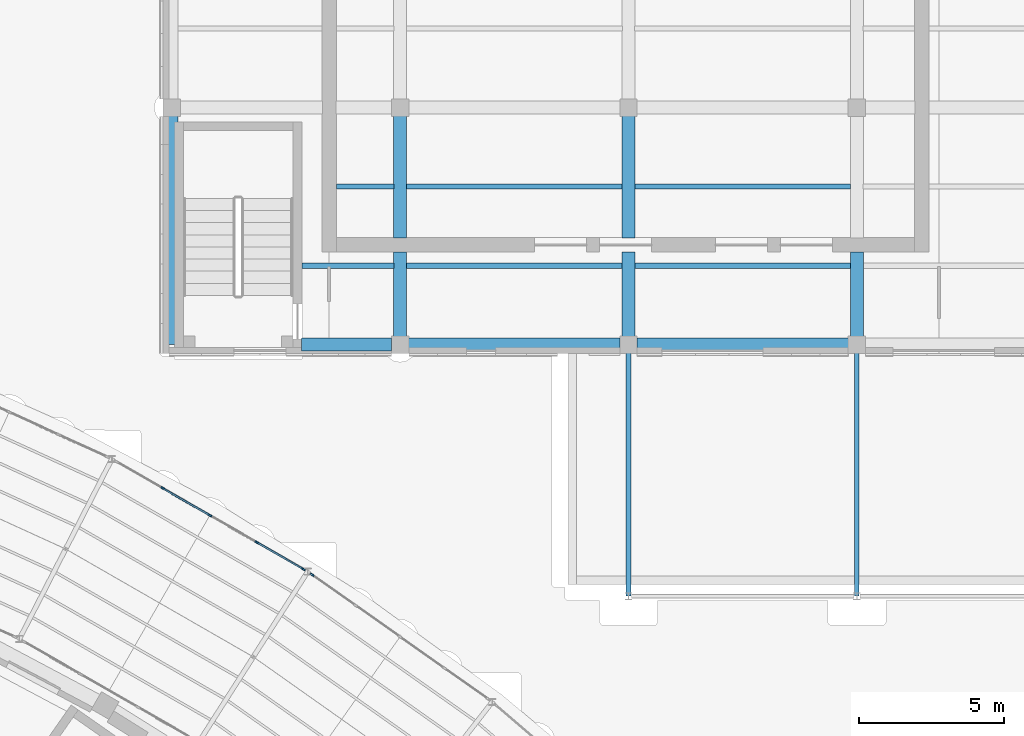
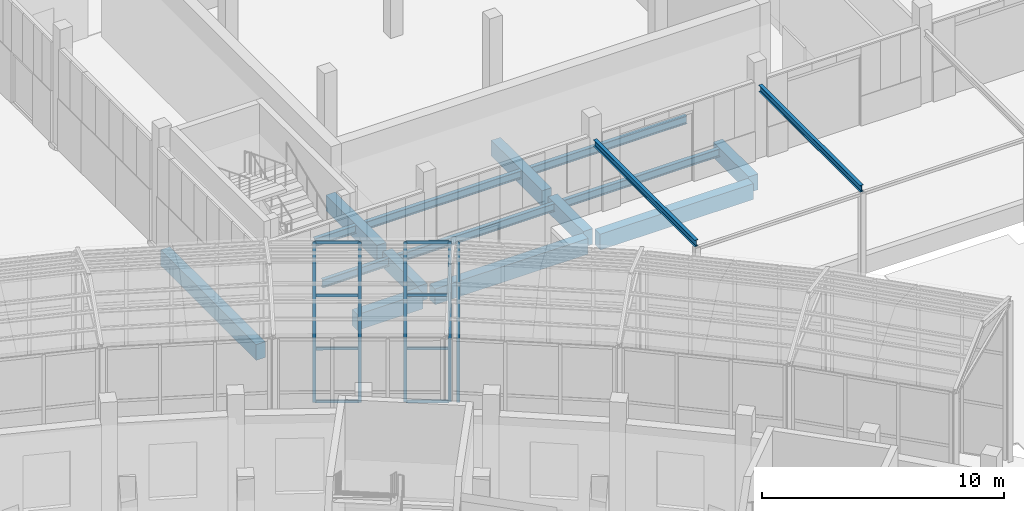
# One storey, part 59 of 155: 17 beams, 13 members, 2 elements without a shape of their own.
"""IFC4 building model written with IfcOpenShell, lengths in metres."""

from ifc_helpers import new_model, si_unit, direction, frame, origin, origin_2d, place, context, subcontext, project, spatial, rectangle, i_section, extrude, material, layer, layer_set, material_profile, profile_set, type_object, element, aggregate, save


model = new_model("IFC4")

# Units and contexts
model_context = context("Model", 3, precision=1e-05, world=origin(), true_north=direction((0.0, 1.0)))
body_context = subcontext(model_context, "Body", "Model", "MODEL_VIEW")
ifc_project = project(units=[si_unit("LENGTHUNIT", "METRE"), si_unit("AREAUNIT", "SQUARE_METRE"), si_unit("VOLUMEUNIT", "CUBIC_METRE"), si_unit("PLANEANGLEUNIT", "RADIAN"), si_unit("MASSUNIT", "GRAM", prefix="KILO")], contexts=[model_context])

# Site, building, storey
site_placement = place(None, origin())
site = spatial("IfcSite", under=ifc_project, at=site_placement, CompositionType="ELEMENT")
building_placement = place(site_placement, origin())
building = spatial("IfcBuilding", under=site, at=building_placement, Name="Lunette Opera House", CompositionType="ELEMENT")
storey_placement = place(building_placement, origin())
storey = spatial("IfcBuildingStorey", under=building, at=storey_placement, Name="L00", CompositionType="ELEMENT", Elevation=0.0)

# Curtain wall, members
ifc_material_1 = material(Name="Aluminium", Category="aluminium")
ifc_layer = layer(ifc_material_1, 0.139892578125)
ifc_layer_set = layer_set([ifc_layer], Name="Aluminium")
curtain_wall_type = type_object("IfcCurtainWallType", Name="PASSAGE CURTAIN WALL", PredefinedType="NOTDEFINED", material=ifc_layer_set)
curtain_wall_1_placement = place(storey_placement, origin())
curtain_wall_1 = element("IfcCurtainWall", 1, at=curtain_wall_1_placement, inside=storey, type_object=curtain_wall_type, Name="Passage Curtain Wall EO3 L00", PredefinedType="NOTDEFINED")
ifc_material_2 = material(Name="Aluminium", Category="aluminium")
ifc_material_profile_1 = material_profile(ifc_material_2, rectangle(XDim=0.06005859375, YDim=0.139892578125, at=origin_2d()), Name="MULLION 60 X 140")
ifc_profile_set_1 = profile_set([ifc_material_profile_1], Name="Aluminium")
member_type_1 = type_object("IfcMemberType", Name="MULLION 60 X 140", PredefinedType="MULLION", material=ifc_profile_set_1)
member_1_placement = place(storey_placement, frame((135.990478515625, 73.334716796875, 0.0), z_axis=(0.0, 0.0, 1.0), x_axis=(0.498416112536, 0.866937932475, 0.0)))
member_1 = element("IfcMember", 2, at=member_1_placement, type_object=member_type_1, Name="PP-X2009 mullion 2", PredefinedType="MULLION", context=body_context, shape_type="SweptSolid", body=[
    extrude(rectangle(XDim=0.06005859375, YDim=0.139892578125, at=origin_2d()), origin(), (0.0, 0.0, 1.0), 8.10009765625),
])
member_2_placement = place(storey_placement, frame((137.618896484375, 72.3984375, 0.0), z_axis=(0.0, 0.0, 1.0), x_axis=(0.498416112536, 0.866937932475, 0.0)))
member_2 = element("IfcMember", 3, at=member_2_placement, type_object=member_type_1, Name="PP-X2009 mullion 3", PredefinedType="MULLION", context=body_context, shape_type="SweptSolid", body=[
    extrude(rectangle(XDim=0.06005859375, YDim=0.139892578125, at=origin_2d()), origin(), (0.0, 0.0, 1.0), 8.10009765625),
])
member_3_placement = place(storey_placement, frame((139.24755859375, 71.462158203125, 0.0), z_axis=(0.0, 0.0, 1.0), x_axis=(0.498416112536, 0.866937932475, 0.0)))
member_3 = element("IfcMember", 4, at=member_3_placement, type_object=member_type_1, Name="PP-X2009 mullion 4", PredefinedType="MULLION", context=body_context, shape_type="SweptSolid", body=[
    extrude(rectangle(XDim=0.06005859375, YDim=0.139892578125, at=origin_2d()), origin(), (0.0, 0.0, 1.0), 8.10009765625),
])
member_4_placement = place(storey_placement, frame((140.85009765625, 70.541015625, 0.0), z_axis=(0.0, 0.0, 1.0), x_axis=(0.498416112536, 0.866937932475, 0.0)))
member_4 = element("IfcMember", 5, at=member_4_placement, type_object=member_type_1, Name="PP-X2009 mullion 5", PredefinedType="MULLION", context=body_context, shape_type="SweptSolid", body=[
    extrude(rectangle(XDim=0.06005859375, YDim=0.139892578125, at=origin_2d()), origin(), (0.0, 0.0, 1.0), 8.10009765625),
])

# Curtain wall, member
curtain_wall_2_placement = place(storey_placement, origin())
curtain_wall_2 = element("IfcCurtainWall", 6, at=curtain_wall_2_placement, inside=storey, type_object=curtain_wall_type, Name="Passage Curtain Wall EO4 L00", PredefinedType="NOTDEFINED")
member_5_placement = place(storey_placement, frame((141.153564453125, 70.3466796875, 0.0), z_axis=(0.0, 0.0, 1.0), x_axis=(0.577075112682, 0.816691076431, 0.0)))
member_5 = element("IfcMember", 7, at=member_5_placement, type_object=member_type_1, Name="PP-X2010 mullion 1", PredefinedType="MULLION", context=body_context, shape_type="SweptSolid", body=[
    extrude(rectangle(XDim=0.06005859375, YDim=0.139892578125, at=origin_2d()), origin(), (0.0, 0.0, 1.0), 8.10009765625),
])
aggregate(curtain_wall_2, [member_5])

# Beams
ifc_material_3 = material(Name="Concrete C35/45", Category="concrete")
ifc_material_profile_2 = material_profile(ifc_material_3, rectangle(XDim=0.449951171875, YDim=0.800048828125, at=origin_2d()), Name="RC BEAM 450X800")
ifc_profile_set_2 = profile_set([ifc_material_profile_2], Name="Concrete C35/45")
beam_type_1 = type_object("IfcBeamType", Name="RC BEAM 450X800", PredefinedType="BEAM", material=ifc_profile_set_2)
beam_1_placement = place(storey_placement, frame((136.300048828125, 78.300048828125, -0.550048828125), z_axis=(0.0, 1.0, 0.0), x_axis=(-1.0, 0.0, 0.0)))
element("IfcBeam", 8, at=beam_1_placement, inside=storey, type_object=beam_type_1, Name="beam-WW-L00-L00-GY00", PredefinedType="BEAM", context=body_context, shape_type="SweptSolid", body=[
    extrude(rectangle(XDim=0.449951171875, YDim=0.800048828125, at=origin_2d()), origin(), (0.0, 0.0, 1.0), 7.909912109375),
])
beam_2_placement = place(storey_placement, frame((144.199951171875, 78.590087890625, -0.550048828125), z_axis=(0.0, 1.0, 0.0), x_axis=(-1.0, 0.0, 0.0)))
element("IfcBeam", 9, at=beam_2_placement, inside=storey, type_object=beam_type_1, Name="beam-WW-L00-L00-GY10", PredefinedType="BEAM", context=body_context, shape_type="SweptSolid", body=[
    extrude(rectangle(XDim=0.449951171875, YDim=0.800048828125, at=origin_2d()), origin(), (0.0, 0.0, 1.0), 2.919921875),
])
beam_3_placement = place(storey_placement, frame((144.199951171875, 81.989990234375, -0.550048828125), z_axis=(0.0, 1.0, 0.0), x_axis=(-1.0, 0.0, 0.0)))
element("IfcBeam", 10, at=beam_3_placement, inside=storey, type_object=beam_type_1, Name="beam-WW-L00-L00-GY10-1", PredefinedType="BEAM", context=body_context, shape_type="SweptSolid", body=[
    extrude(rectangle(XDim=0.449951171875, YDim=0.800048828125, at=origin_2d()), origin(), (0.0, 0.0, 1.0), 4.219970703125),
])
beam_4_placement = place(storey_placement, frame((152.10009765625, 78.590087890625, -0.550048828125), z_axis=(0.0, 1.0, 0.0), x_axis=(-1.0, 0.0, 0.0)))
element("IfcBeam", 11, at=beam_4_placement, inside=storey, type_object=beam_type_1, Name="beam-WW-L00-L00-GY20", PredefinedType="BEAM", context=body_context, shape_type="SweptSolid", body=[
    extrude(rectangle(XDim=0.449951171875, YDim=0.800048828125, at=origin_2d()), origin(), (0.0, 0.0, 1.0), 2.919921875),
])
beam_5_placement = place(storey_placement, frame((152.10009765625, 81.989990234375, -0.550048828125), z_axis=(0.0, 1.0, 0.0), x_axis=(-1.0, 0.0, 0.0)))
element("IfcBeam", 12, at=beam_5_placement, inside=storey, type_object=beam_type_1, Name="beam-WW-L00-L00-GY20-1", PredefinedType="BEAM", context=body_context, shape_type="SweptSolid", body=[
    extrude(rectangle(XDim=0.449951171875, YDim=0.800048828125, at=origin_2d()), origin(), (0.0, 0.0, 1.0), 4.219970703125),
])
beam_6_placement = place(storey_placement, frame((160.0, 78.590087890625, -0.550048828125), z_axis=(0.0, 1.0, 0.0), x_axis=(-1.0, 0.0, 0.0)))
element("IfcBeam", 13, at=beam_6_placement, inside=storey, type_object=beam_type_1, Name="beam-WW-L00-L00-GY30", PredefinedType="BEAM", context=body_context, shape_type="SweptSolid", body=[
    extrude(rectangle(XDim=0.449951171875, YDim=0.800048828125, at=origin_2d()), origin(), (0.0, 0.0, 1.0), 2.919921875),
])
beam_7_placement = place(storey_placement, frame((140.7900390625, 78.300048828125, -0.550048828125), z_axis=(1.0, 0.0, 0.0), x_axis=(0.0, 1.0, 0.0)))
element("IfcBeam", 14, at=beam_7_placement, inside=storey, type_object=beam_type_1, Name="beam-WW-L00-L00-GX00", PredefinedType="BEAM", context=body_context, shape_type="SweptSolid", body=[
    extrude(rectangle(XDim=0.449951171875, YDim=0.800048828125, at=origin_2d()), origin(), (0.0, 0.0, 1.0), 3.119873046875),
])
for number, where, z_axis, x_axis, name in (
    (15, (144.489990234375, 78.300048828125, -0.550048828125), (1.0, 0.0, 0.0), (0.0, 1.0, 0.0), "beam-WW-L00-L00-GX10"),
    (16, (152.389892578125, 78.300048828125, -0.550048828125), (1.0, 0.0, 0.0), (0.0, 1.0, 0.0), "beam-WW-L00-L00-GX20"),
):
    element("IfcBeam", number, at=place(storey_placement, frame(where, z_axis=z_axis, x_axis=x_axis)), inside=storey, type_object=beam_type_1, Name=name, PredefinedType="BEAM", context=body_context, shape_type="SweptSolid", body=[
        extrude(rectangle(XDim=0.449951171875, YDim=0.800048828125, at=origin_2d()), origin(), (0.0, 0.0, 1.0), 7.320068359375),
    ])
ifc_material_4 = material(Name="Steel S355", Category="steel")
ifc_material_profile_3 = material_profile(ifc_material_4, i_section(OverallWidth=0.159912109375, OverallDepth=0.330078125, WebThickness=0.007568359375, FlangeThickness=0.011474609375, FilletRadius=0.01806640625, at=origin_2d()), Name="IPE 330")
ifc_profile_set_3 = profile_set([ifc_material_profile_3], Name="Steel S355")
beam_type_2 = type_object("IfcBeamType", Name="STEEL BEAM IPE 330", PredefinedType="BEAM", material=ifc_profile_set_3)
for number, where, z_axis, x_axis, name in (
    (17, (152.10009765625, 69.610107421875, 4.635009765625), (0.0, 1.0, 0.0), (-1.0, 0.0, 0.0), "beam-WW-L00-DCB1"),
    (18, (160.0, 69.610107421875, 4.635009765625), (0.0, 1.0, 0.0), (-1.0, 0.0, 0.0), "beam-WW-L00-DCB2"),
):
    element("IfcBeam", number, at=place(storey_placement, frame(where, z_axis=z_axis, x_axis=x_axis)), inside=storey, type_object=beam_type_2, Name=name, PredefinedType="BEAM", context=body_context, shape_type="SweptSolid", body=[
        extrude(i_section(OverallWidth=0.159912109375, OverallDepth=0.330078125, WebThickness=0.007568359375, FlangeThickness=0.011474609375, FilletRadius=0.01806640625, at=origin_2d()), origin(), (0.0, 0.0, 1.0), 8.39990234375),
    ])
ifc_material_5 = material(Name="Steel S355", Category="steel")
ifc_material_profile_4 = material_profile(ifc_material_5, i_section(OverallWidth=0.179931640625, OverallDepth=0.39990234375, WebThickness=0.008544921875, FlangeThickness=0.013427734375, FilletRadius=0.02099609375, at=origin_2d()), Name="IPE 400")
ifc_profile_set_4 = profile_set([ifc_material_profile_4], Name="Steel S355")
beam_type_3 = type_object("IfcBeamType", Name="STEEL BEAM IPE 400", PredefinedType="BEAM", material=ifc_profile_set_4)
beam_8_placement = place(storey_placement, frame((140.800048828125, 81.032958984375, -0.35009765625), z_axis=(1.0, 0.0, 0.0), x_axis=(0.0, 1.0, 0.0)))
element("IfcBeam", 19, at=beam_8_placement, inside=storey, type_object=beam_type_3, Name="beam-WW-L00-L00-SX001", PredefinedType="BEAM", context=body_context, shape_type="SweptSolid", body=[
    extrude(i_section(OverallWidth=0.179931640625, OverallDepth=0.39990234375, WebThickness=0.008544921875, FlangeThickness=0.013427734375, FilletRadius=0.02099609375, at=origin_2d()), origin(), (0.0, 0.0, 1.0), 3.18505859375),
])
beam_9_placement = place(storey_placement, frame((142.0, 83.76708984375, -0.35009765625), z_axis=(1.0, 0.0, 0.0), x_axis=(0.0, 1.0, 0.0)))
element("IfcBeam", 20, at=beam_9_placement, inside=storey, type_object=beam_type_3, Name="beam-WW-L00-L00-SX002-01", PredefinedType="BEAM", context=body_context, shape_type="SweptSolid", body=[
    extrude(i_section(OverallWidth=0.179931640625, OverallDepth=0.39990234375, WebThickness=0.008544921875, FlangeThickness=0.013427734375, FilletRadius=0.02099609375, at=origin_2d()), origin(), (0.0, 0.0, 1.0), 1.985107421875),
])
for number, where, z_axis, x_axis, name in (
    (21, (144.4150390625, 81.032958984375, -0.35009765625), (1.0, 0.0, 0.0), (0.0, 1.0, 0.0), "beam-WW-L00-L00-SX101"),
    (22, (144.4150390625, 83.76708984375, -0.35009765625), (1.0, 0.0, 0.0), (0.0, 1.0, 0.0), "beam-WW-L00-L00-SX102"),
    (23, (152.31494140625, 81.032958984375, -0.35009765625), (1.0, 0.0, 0.0), (0.0, 1.0, 0.0), "beam-WW-L00-L00-SX201"),
    (24, (152.31494140625, 83.76708984375, -0.35009765625), (1.0, 0.0, 0.0), (0.0, 1.0, 0.0), "beam-WW-L00-L00-SX202"),
):
    element("IfcBeam", number, at=place(storey_placement, frame(where, z_axis=z_axis, x_axis=x_axis)), inside=storey, type_object=beam_type_3, Name=name, PredefinedType="BEAM", context=body_context, shape_type="SweptSolid", body=[
        extrude(i_section(OverallWidth=0.179931640625, OverallDepth=0.39990234375, WebThickness=0.008544921875, FlangeThickness=0.013427734375, FilletRadius=0.02099609375, at=origin_2d()), origin(), (0.0, 0.0, 1.0), 7.469970703125),
    ])

# Member
ifc_material_6 = material(Name="Aluminium", Category="aluminium")
ifc_material_profile_5 = material_profile(ifc_material_6, rectangle(XDim=0.06005859375, YDim=0.139892578125, at=origin_2d()), Name="TRANSOM 60 X 140")
ifc_profile_set_5 = profile_set([ifc_material_profile_5], Name="Aluminium")
member_type_2 = type_object("IfcMemberType", Name="TRANSOM 60 X 140", PredefinedType="USERDEFINED", material=ifc_profile_set_5)
member_6_placement = place(storey_placement, frame((136.0166015625, 73.31982421875, 0.030029296875), z_axis=(0.866951264859, -0.498392921659, 0.0), x_axis=(0.498392921659, 0.866951264859, 0.0)))
member_6 = element("IfcMember", 25, at=member_6_placement, type_object=member_type_2, Name="PP-X2009 transom 2.1", ObjectType="TRANSOM", PredefinedType="USERDEFINED", context=body_context, shape_type="SweptSolid", body=[
    extrude(rectangle(XDim=0.06005859375, YDim=0.139892578125, at=origin_2d()), origin(), (0.0, 0.0, 1.0), 1.818359375),
])

member_7_placement = place(storey_placement, frame((136.0166015625, 73.31982421875, 2.699951171875), z_axis=(0.866951264859, -0.498392921659, 0.0), x_axis=(0.498392921659, 0.866951264859, 0.0)))
member_7 = element("IfcMember", 26, at=member_7_placement, type_object=member_type_2, Name="PP-X2009 transom 2.2", ObjectType="TRANSOM", PredefinedType="USERDEFINED", context=body_context, shape_type="SweptSolid", body=[
    extrude(rectangle(XDim=0.06005859375, YDim=0.139892578125, at=origin_2d()), origin(), (0.0, 0.0, 1.0), 1.818359375),
])

member_8_placement = place(storey_placement, frame((136.0166015625, 73.31982421875, 5.39990234375), z_axis=(0.866951264859, -0.498392921659, 0.0), x_axis=(0.498392921659, 0.866951264859, 0.0)))
member_8 = element("IfcMember", 27, at=member_8_placement, type_object=member_type_2, Name="PP-X2009 transom 2.3", ObjectType="TRANSOM", PredefinedType="USERDEFINED", context=body_context, shape_type="SweptSolid", body=[
    extrude(rectangle(XDim=0.06005859375, YDim=0.139892578125, at=origin_2d()), origin(), (0.0, 0.0, 1.0), 1.818359375),
])

member_9_placement = place(storey_placement, frame((136.0166015625, 73.31982421875, 8.070068359375), z_axis=(0.866951264859, -0.498392921659, 0.0), x_axis=(0.498392921659, 0.866951264859, 0.0)))
member_9 = element("IfcMember", 28, at=member_9_placement, type_object=member_type_2, Name="PP-X2009 transom 2.4", ObjectType="TRANSOM", PredefinedType="USERDEFINED", context=body_context, shape_type="SweptSolid", body=[
    extrude(rectangle(XDim=0.06005859375, YDim=0.139892578125, at=origin_2d()), origin(), (0.0, 0.0, 1.0), 1.818359375),
])

member_10_placement = place(storey_placement, frame((139.2734375, 71.447265625, 0.030029296875), z_axis=(0.866954964353, -0.498386486357, 0.0), x_axis=(0.498386486357, 0.866954964353, 0.0)))
member_10 = element("IfcMember", 29, at=member_10_placement, type_object=member_type_2, Name="PP-X2009 transom 4.1", ObjectType="TRANSOM", PredefinedType="USERDEFINED", context=body_context, shape_type="SweptSolid", body=[
    extrude(rectangle(XDim=0.06005859375, YDim=0.139892578125, at=origin_2d()), origin(), (0.0, 0.0, 1.0), 1.78857421875),
])

member_11_placement = place(storey_placement, frame((139.2734375, 71.447265625, 2.699951171875), z_axis=(0.866954964353, -0.498386486357, 0.0), x_axis=(0.498386486357, 0.866954964353, 0.0)))
member_11 = element("IfcMember", 30, at=member_11_placement, type_object=member_type_2, Name="PP-X2009 transom 4.2", ObjectType="TRANSOM", PredefinedType="USERDEFINED", context=body_context, shape_type="SweptSolid", body=[
    extrude(rectangle(XDim=0.06005859375, YDim=0.139892578125, at=origin_2d()), origin(), (0.0, 0.0, 1.0), 1.78857421875),
])

member_12_placement = place(storey_placement, frame((139.2734375, 71.447265625, 5.39990234375), z_axis=(0.866954964353, -0.498386486357, 0.0), x_axis=(0.498386486357, 0.866954964353, 0.0)))
member_12 = element("IfcMember", 31, at=member_12_placement, type_object=member_type_2, Name="PP-X2009 transom 4.3", ObjectType="TRANSOM", PredefinedType="USERDEFINED", context=body_context, shape_type="SweptSolid", body=[
    extrude(rectangle(XDim=0.06005859375, YDim=0.139892578125, at=origin_2d()), origin(), (0.0, 0.0, 1.0), 1.78857421875),
])

member_13_placement = place(storey_placement, frame((139.2734375, 71.447265625, 8.070068359375), z_axis=(0.866954964353, -0.498386486357, 0.0), x_axis=(0.498386486357, 0.866954964353, 0.0)))
member_13 = element("IfcMember", 32, at=member_13_placement, type_object=member_type_2, Name="PP-X2009 transom 4.4", ObjectType="TRANSOM", PredefinedType="USERDEFINED", context=body_context, shape_type="SweptSolid", body=[
    extrude(rectangle(XDim=0.06005859375, YDim=0.139892578125, at=origin_2d()), origin(), (0.0, 0.0, 1.0), 1.78857421875),
])

aggregate(curtain_wall_1, [member_1, member_2, member_3, member_4, member_6, member_7, member_8, member_9, member_10, member_11, member_12, member_13])

save(model, "model.ifc")
